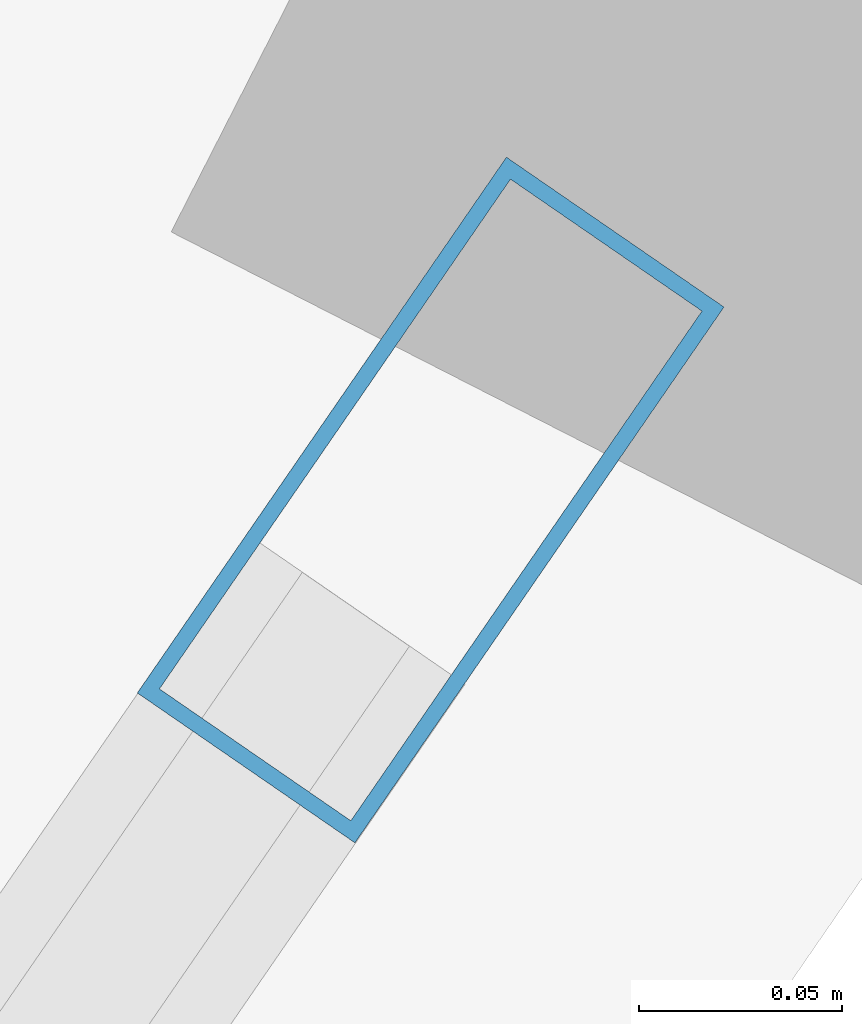
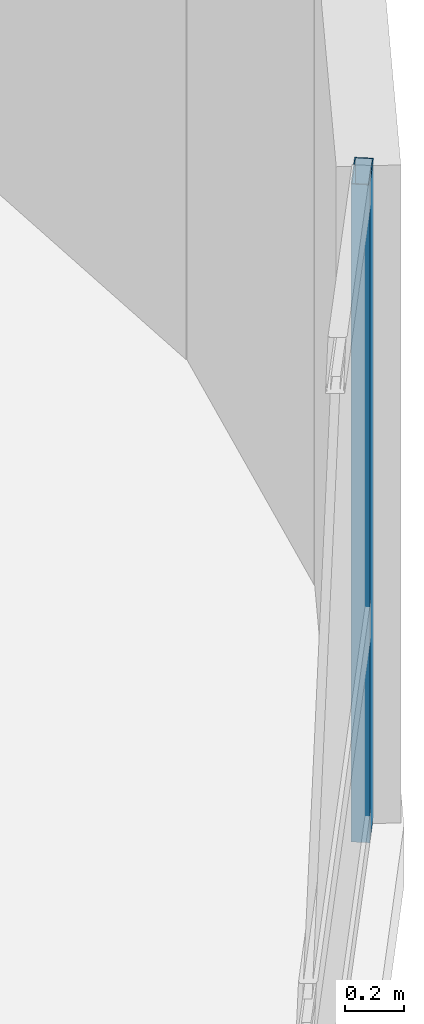
# One storey, part 13 of 27: 1 member, 1 element without a shape of its own.
"""IFC4 building model written with IfcOpenShell, lengths in metres."""

from ifc_helpers import new_model, si_unit, direction, frame, origin, origin_2d, place, context, subcontext, project, spatial, hollow_rectangle, extrude, material, layer, layer_set, material_profile, profile_set, type_object, element, aggregate, save


model = new_model("IFC4")

# Units and contexts
model_context = context("Model", 3, precision=1e-05, world=origin(), true_north=direction((0.0, 1.0)))
body_context = subcontext(model_context, "Body", "Model", "MODEL_VIEW")
ifc_project = project(units=[si_unit("LENGTHUNIT", "METRE"), si_unit("AREAUNIT", "SQUARE_METRE"), si_unit("VOLUMEUNIT", "CUBIC_METRE"), si_unit("PLANEANGLEUNIT", "RADIAN"), si_unit("MASSUNIT", "GRAM", prefix="KILO")], contexts=[model_context])

# Site, building, storey
site_placement = place(None, origin())
site = spatial("IfcSite", under=ifc_project, at=site_placement, CompositionType="ELEMENT")
building_placement = place(site_placement, origin())
building = spatial("IfcBuilding", under=site, at=building_placement, Name="Varnelok Gate Tower", CompositionType="ELEMENT")
storey_placement = place(building_placement, frame((0.0, 0.0, 30.699951171875)))
storey = spatial("IfcBuildingStorey", under=building, at=storey_placement, Name="L06", CompositionType="ELEMENT", Elevation=30.699951171875)

# Curtain wall, member
ifc_material = material(Name="Anodized Aluminum Alloy 6063-T6", Category="aluminium")
ifc_layer = layer(ifc_material, 0.179931640625)
ifc_layer_set = layer_set([ifc_layer], Name="Anodized Aluminum Alloy 6063-T6")
curtain_wall_type = type_object("IfcCurtainWallType", Name="CW3-HOTEL-VISION", PredefinedType="USERDEFINED", material=ifc_layer_set)
curtain_wall_placement = place(storey_placement, origin())
curtain_wall = element("IfcCurtainWall", 1, at=curtain_wall_placement, inside=storey, type_object=curtain_wall_type, Name="L06 East End Vision Curtain Wall", ObjectType="UNITISED CURTAIN WALL", PredefinedType="USERDEFINED")
ifc_material_profile = material_profile(ifc_material, hollow_rectangle(XDim=0.06494140625, YDim=0.159912109375, WallThickness=0.00390625, at=origin_2d()), Name="ALU160X65X4")
ifc_profile_set = profile_set([ifc_material_profile], Name="Anodized Aluminum Alloy 6063-T6")
member_type = type_object("IfcMemberType", Name="CW-MULL-160", PredefinedType="MULLION", material=ifc_profile_set)
member_placement = place(storey_placement, frame((82.52392578125, 19.33935546875, 0.0), z_axis=(0.0, 0.0, 1.0), x_axis=(0.823532685111, -0.567268822124, 0.0)))
member = element("IfcMember", 2, at=member_placement, type_object=member_type, Name="CW3 mullion 1", PredefinedType="MULLION", context=body_context, shape_type="SweptSolid", body=[
    extrude(hollow_rectangle(XDim=0.06494140625, YDim=0.159912109375, WallThickness=0.00390625, at=origin_2d()), origin(), (0.0, 0.0, 1.0), 2.72998046875),
])
aggregate(curtain_wall, [member])

save(model, "model.ifc")
